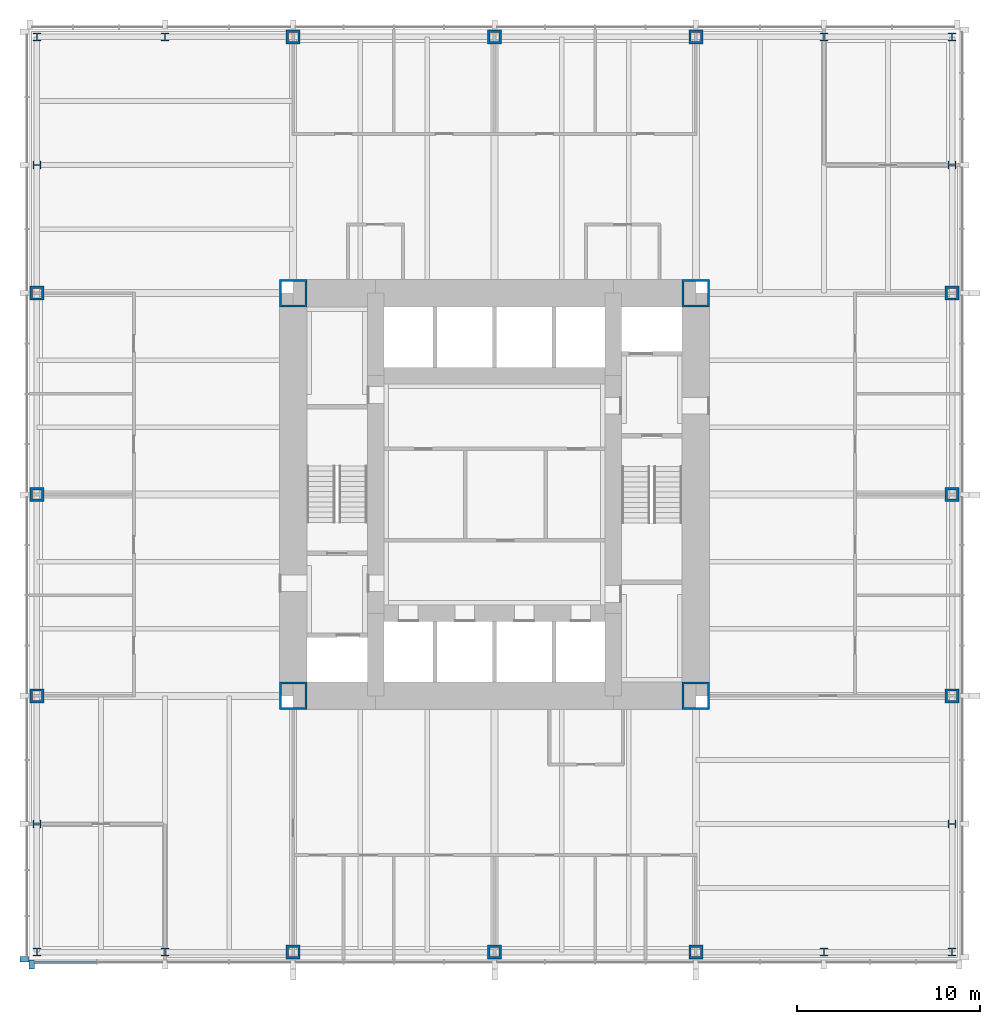
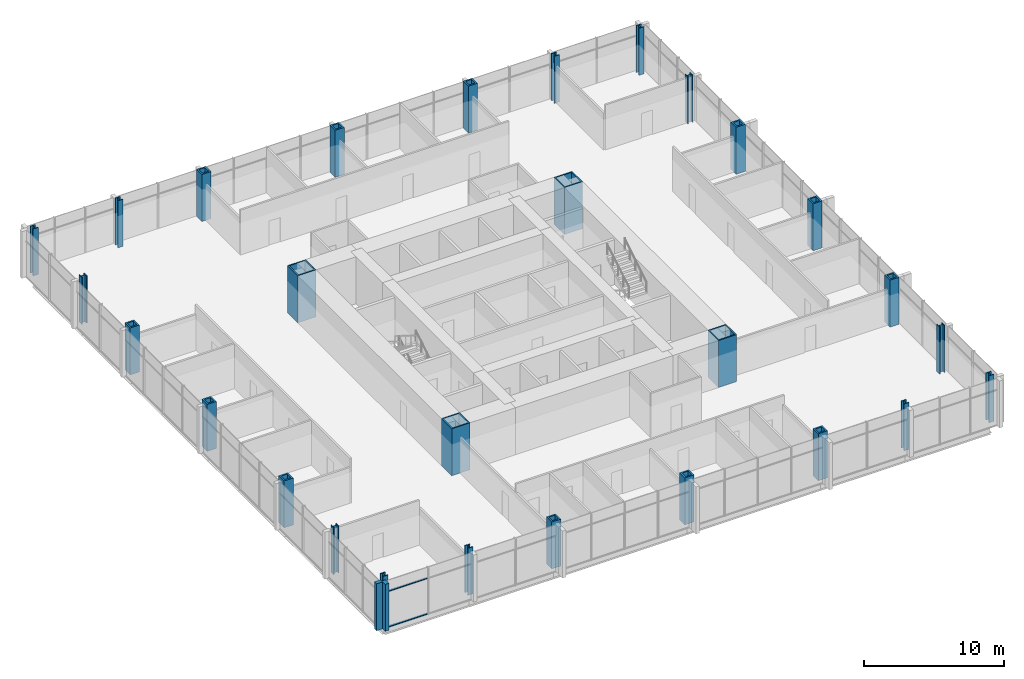
# One storey, part 1 of 12: 28 columns, 4 members, 2 elements without a shape of their own.
"""IFC4 building model written with IfcOpenShell, lengths in metres."""

from ifc_helpers import new_model, si_unit, direction, frame, origin, origin_2d, place, context, subcontext, project, spatial, rectangle, hollow_rectangle, i_section, extrude, material, material_profile, profile_set, type_object, element, aggregate, save


model = new_model("IFC4")

# Units and contexts
model_context = context("Model", 3, precision=1e-05, world=origin(), true_north=direction((0.0, 1.0)))
body_context = subcontext(model_context, "Body", "Model", "MODEL_VIEW")
ifc_project = project(units=[si_unit("LENGTHUNIT", "METRE"), si_unit("AREAUNIT", "SQUARE_METRE"), si_unit("VOLUMEUNIT", "CUBIC_METRE"), si_unit("PLANEANGLEUNIT", "RADIAN"), si_unit("MASSUNIT", "GRAM", prefix="KILO")], contexts=[model_context])

# Site, building, storey
site_placement = place(None, origin())
site = spatial("IfcSite", under=ifc_project, at=site_placement, CompositionType="ELEMENT")
building_placement = place(site_placement, origin())
building = spatial("IfcBuilding", under=site, at=building_placement, Name="Trevanion Tower", CompositionType="ELEMENT")
storey_placement = place(building_placement, frame((0.0, 0.0, 69.300048828125)))
storey = spatial("IfcBuildingStorey", under=building, at=storey_placement, Name="L16", CompositionType="ELEMENT", Elevation=69.300048828125)

# Columns
ifc_material_1 = material(Name="Steel ASTM A588 Grade 50", Category="steel")
ifc_material_profile_1 = material_profile(ifc_material_1, hollow_rectangle(XDim=0.761962890625, YDim=0.761962890625, WallThickness=0.126953125, at=origin_2d()), Name="BOX30X30X5")
ifc_profile_set_1 = profile_set([ifc_material_profile_1], Name="Steel ASTM A588 Grade 50")
column_type_1 = type_object("IfcColumnType", Name="C1 BOX30X30X5", PredefinedType="COLUMN", material=ifc_profile_set_1)
for number, where, z_axis, x_axis, name in (
    (1, (-25.0, 0.0, 0.0), (0.0, 0.0, 1.0), (0.0, 1.0, 0.0), "C1 3/H L16"),
    (2, (-25.0, -11.0, 0.0), (0.0, 0.0, 1.0), (0.0, 1.0, 0.0), "C1 3/F L16"),
    (3, (-11.0, -25.0, 0.0), (0.0, 0.0, 1.0), (1.0, 0.0, 0.0), "C1 8/A L16"),
    (4, (0.0, -25.0, 0.0), (0.0, 0.0, 1.0), (1.0, 0.0, 0.0), "C1 10/A L16"),
    (5, (11.0, -25.0, 0.0), (0.0, 0.0, 1.0), (1.0, 0.0, 0.0), "C1 12/A L16"),
    (6, (25.0, -11.0, 0.0), (0.0, 0.0, 1.0), (0.0, 1.0, 0.0), "C1 17/F L16"),
    (7, (25.0, 0.0, 0.0), (0.0, 0.0, 1.0), (0.0, 1.0, 0.0), "C1 17/H L16"),
    (8, (25.0, 11.0, 0.0), (0.0, 0.0, 1.0), (0.0, 1.0, 0.0), "C1 17/K L16"),
    (9, (11.0, 25.0, 0.0), (0.0, 0.0, 1.0), (1.0, 0.0, 0.0), "C1 12/Q L16"),
    (10, (0.0, 25.0, 0.0), (0.0, 0.0, 1.0), (1.0, 0.0, 0.0), "C1 10/Q L16"),
    (11, (-11.0, 25.0, 0.0), (0.0, 0.0, 1.0), (1.0, 0.0, 0.0), "C1 8/Q L16"),
    (12, (-25.0, 11.0, 0.0), (0.0, 0.0, 1.0), (0.0, 1.0, 0.0), "C1 3/K L16"),
):
    element("IfcColumn", number, at=place(storey_placement, frame(where, z_axis=z_axis, x_axis=x_axis)), inside=storey, type_object=column_type_1, Name=name, PredefinedType="COLUMN", context=body_context, shape_type="SweptSolid", body=[
        extrude(hollow_rectangle(XDim=0.761962890625, YDim=0.761962890625, WallThickness=0.126953125, at=origin_2d()), origin(), (0.0, 0.0, 1.0), 4.099853515625),
    ])
ifc_material_2 = material(Name="Steel ASTM A913 Grade 65", Category="steel")
ifc_material_profile_2 = material_profile(ifc_material_2, i_section(OverallWidth=0.419189453125, OverallDepth=0.45458984375, WebThickness=0.042236328125, FlangeThickness=0.067626953125, at=origin_2d()), Name="W14X370")
ifc_profile_set_2 = profile_set([ifc_material_profile_2], Name="Steel ASTM A913 Grade 65")
column_type_2 = type_object("IfcColumnType", Name="C2 W14X370", PredefinedType="COLUMN", material=ifc_profile_set_2)
for number, where, z_axis, x_axis, name in (
    (13, (-25.0, -18.0, 0.0), (0.0, 0.0, 1.0), (0.0, 1.0, 0.0), "C2 3/D L16"),
    (14, (-25.0, -25.0, 0.0), (0.0, 0.0, 1.0), (1.0, 0.0, 0.0), "C2 3/A L16"),
    (15, (-18.0, -25.0, 0.0), (0.0, 0.0, 1.0), (1.0, 0.0, 0.0), "C2 6/A L16"),
    (16, (18.0, -25.0, 0.0), (0.0, 0.0, 1.0), (1.0, 0.0, 0.0), "C2 14/A L16"),
    (17, (25.0, -25.0, 0.0), (0.0, 0.0, 1.0), (1.0, 0.0, 0.0), "C2 17/A L16"),
    (18, (25.0, -18.0, 0.0), (0.0, 0.0, 1.0), (0.0, 1.0, 0.0), "C2 17/D L16"),
    (19, (25.0, 18.0, 0.0), (0.0, 0.0, 1.0), (0.0, 1.0, 0.0), "C2 17/M L16"),
    (20, (25.0, 25.0, 0.0), (0.0, 0.0, 1.0), (1.0, 0.0, 0.0), "C2 17/Q L16"),
    (21, (18.0, 25.0, 0.0), (0.0, 0.0, 1.0), (1.0, 0.0, 0.0), "C2 14/Q L16"),
    (22, (-18.0, 25.0, 0.0), (0.0, 0.0, 1.0), (1.0, 0.0, 0.0), "C2 6/Q L16"),
    (23, (-25.0, 25.0, 0.0), (0.0, 0.0, 1.0), (1.0, 0.0, 0.0), "C2 3/Q L16"),
    (24, (-25.0, 18.0, 0.0), (0.0, 0.0, 1.0), (0.0, 1.0, 0.0), "C2 3/M L16"),
):
    element("IfcColumn", number, at=place(storey_placement, frame(where, z_axis=z_axis, x_axis=x_axis)), inside=storey, type_object=column_type_2, Name=name, PredefinedType="COLUMN", context=body_context, shape_type="SweptSolid", body=[
        extrude(i_section(OverallWidth=0.419189453125, OverallDepth=0.45458984375, WebThickness=0.042236328125, FlangeThickness=0.067626953125, at=origin_2d()), origin(), (0.0, 0.0, 1.0), 4.099853515625),
    ])
ifc_material_3 = material(Name="Steel ASTM A572 Grade 50", Category="steel")
ifc_material_profile_3 = material_profile(ifc_material_3, hollow_rectangle(XDim=1.49853515625, YDim=1.49853515625, WallThickness=0.1015625, at=origin_2d()), Name="BOX59X59X4")
ifc_profile_set_3 = profile_set([ifc_material_profile_3], Name="Steel ASTM A572 Grade 50")
column_type_3 = type_object("IfcColumnType", Name="CB1 BOX59X59X4", PredefinedType="COLUMN", material=ifc_profile_set_3)
for number, where, z_axis, x_axis, name in (
    (25, (11.0, 11.0, 0.0), (0.0, 0.0, 1.0), (1.0, 0.0, 0.0), "CB1 NE L16"),
    (26, (-11.0, 11.0, 0.0), (0.0, 0.0, 1.0), (1.0, 0.0, 0.0), "CB1 NW L16"),
    (27, (-11.0, -11.0, 0.0), (0.0, 0.0, 1.0), (1.0, 0.0, 0.0), "CB1 SW L16"),
    (28, (11.0, -11.0, 0.0), (0.0, 0.0, 1.0), (1.0, 0.0, 0.0), "CB1 SE L16"),
):
    element("IfcColumn", number, at=place(storey_placement, frame(where, z_axis=z_axis, x_axis=x_axis)), inside=storey, type_object=column_type_3, Name=name, PredefinedType="COLUMN", context=body_context, shape_type="SweptSolid", body=[
        extrude(hollow_rectangle(XDim=1.49853515625, YDim=1.49853515625, WallThickness=0.1015625, at=origin_2d()), origin(), (0.0, 0.0, 1.0), 4.099853515625),
    ])

# Curtain wall, member
ifc_material_4 = material(Name="Aluminium and glass", Category="aluminium")
curtain_wall_type = type_object("IfcCurtainWallType", Name="CW1 curtain wall", PredefinedType="USERDEFINED", material=ifc_material_4)
curtain_wall_1_placement = place(storey_placement, origin())
curtain_wall_1 = element("IfcCurtainWall", 29, at=curtain_wall_1_placement, inside=storey, type_object=curtain_wall_type, Name="CW1 L16 2", ObjectType="UNITISED CURTAIN WALL", PredefinedType="USERDEFINED")
ifc_material_5 = material(Name="Aluminium extrusion, anodised bronze", Category="aluminium")
ifc_material_profile_4 = material_profile(ifc_material_5, rectangle(XDim=0.300048828125, YDim=0.5, at=origin_2d()), Name="CW1 pier mullion")
ifc_profile_set_4 = profile_set([ifc_material_profile_4], Name="Aluminium extrusion, anodised bronze")
member_type_1 = type_object("IfcMemberType", Name="CW1 pier mullion", PredefinedType="MULLION", material=ifc_profile_set_4)
member_1_placement = place(storey_placement, frame((-25.675048828125, -25.39990234375, -0.18994140625), z_axis=(0.0, 0.0, 1.0), x_axis=(0.0, -1.0, 0.0)))
member_1 = element("IfcMember", 30, at=member_1_placement, type_object=member_type_1, Name="CW1 pier mullion 18", PredefinedType="MULLION", context=body_context, shape_type="SweptSolid", body=[
    extrude(rectangle(XDim=0.300048828125, YDim=0.5, at=origin_2d()), origin(), (0.0, 0.0, 1.0), 4.099853515625),
])
aggregate(curtain_wall_1, [member_1])

# Curtain wall, members
curtain_wall_2_placement = place(storey_placement, origin())
curtain_wall_2 = element("IfcCurtainWall", 31, at=curtain_wall_2_placement, inside=storey, type_object=curtain_wall_type, Name="CW1 L16 3", ObjectType="UNITISED CURTAIN WALL", PredefinedType="USERDEFINED")
member_2_placement = place(storey_placement, frame((-25.27001953125, -25.675048828125, -0.18994140625), z_axis=(0.0, 0.0, 1.0), x_axis=(1.0, 0.0, 0.0)))
member_2 = element("IfcMember", 32, at=member_2_placement, type_object=member_type_1, Name="CW1 pier mullion 1", PredefinedType="MULLION", context=body_context, shape_type="SweptSolid", body=[
    extrude(rectangle(XDim=0.300048828125, YDim=0.5, at=origin_2d()), origin(), (0.0, 0.0, 1.0), 4.099853515625),
])
ifc_material_6 = material(Name="Aluminium extrusion, anodised bronze", Category="aluminium")
ifc_material_profile_5 = material_profile(ifc_material_6, rectangle(XDim=0.14990234375, YDim=0.074951171875, at=origin_2d()), Name="CW1 transom")
ifc_profile_set_5 = profile_set([ifc_material_profile_5], Name="Aluminium extrusion, anodised bronze")
member_type_2 = type_object("IfcMemberType", Name="CW1 transom", PredefinedType="USERDEFINED", material=ifc_profile_set_5)
member_3_placement = place(storey_placement, frame((-25.1201171875, -25.550048828125, -0.152587890625), z_axis=(1.0, 0.0, 0.0), x_axis=(0.0, 1.0, 0.0)))
member_3 = element("IfcMember", 33, at=member_3_placement, type_object=member_type_2, Name="CW1 transom 1.1", ObjectType="TRANSOM", PredefinedType="USERDEFINED", context=body_context, shape_type="SweptSolid", body=[
    extrude(rectangle(XDim=0.14990234375, YDim=0.074951171875, at=origin_2d()), origin(), (0.0, 0.0, 1.0), 3.37255859375),
])
member_4_placement = place(storey_placement, frame((-25.1201171875, -25.550048828125, 2.9599609375), z_axis=(1.0, 0.0, 0.0), x_axis=(0.0, 1.0, 0.0)))
member_4 = element("IfcMember", 34, at=member_4_placement, type_object=member_type_2, Name="CW1 transom 1.2", ObjectType="TRANSOM", PredefinedType="USERDEFINED", context=body_context, shape_type="SweptSolid", body=[
    extrude(rectangle(XDim=0.14990234375, YDim=0.074951171875, at=origin_2d()), origin(), (0.0, 0.0, 1.0), 3.37255859375),
])
aggregate(curtain_wall_2, [member_2, member_3, member_4])

save(model, "model.ifc")
